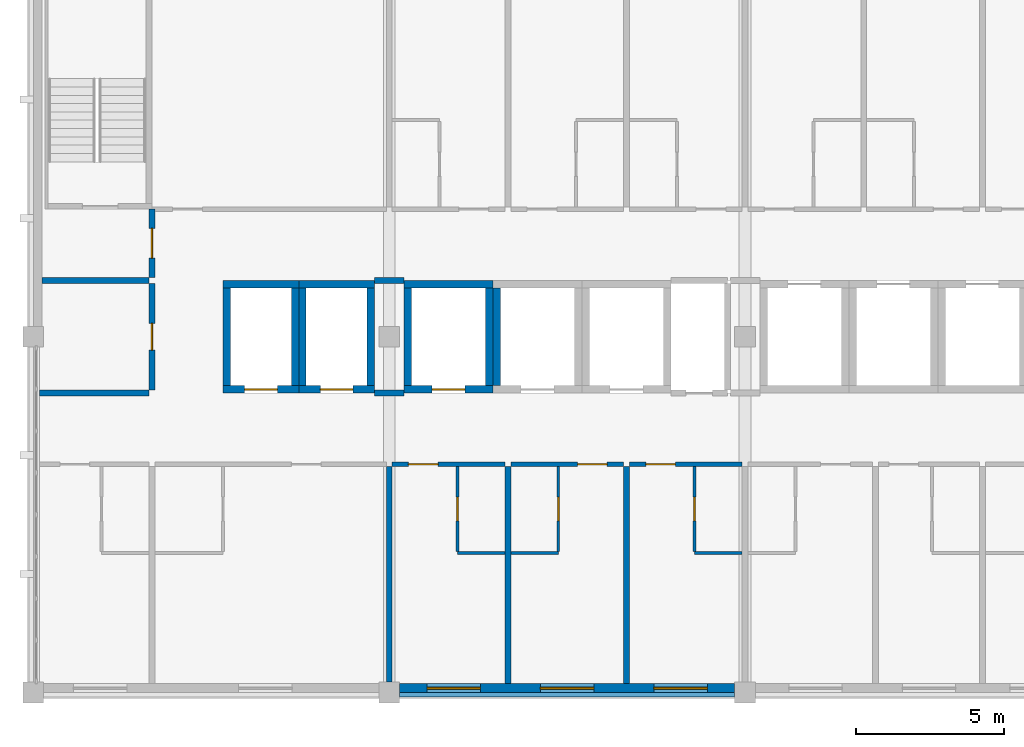
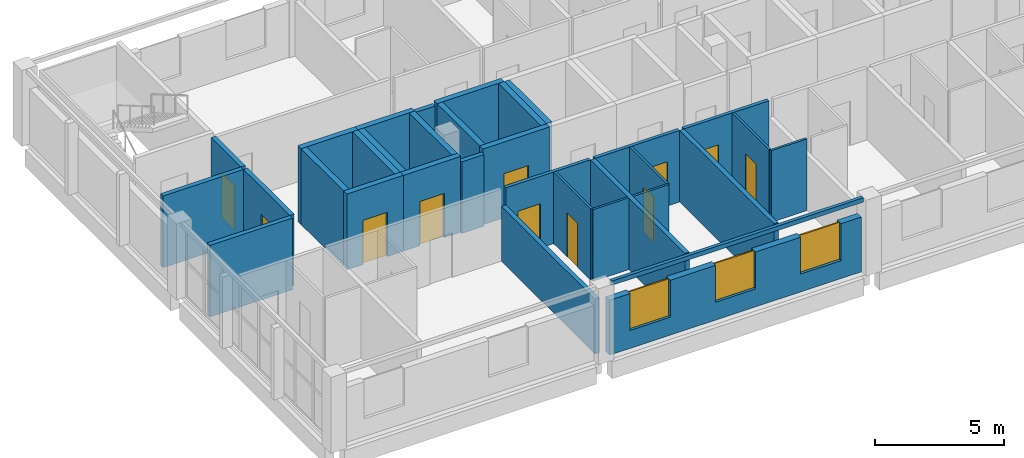
# One storey, part 6 of 11: 33 walls, 11 doors, 3 windows, 14 openings.
"""IFC4 building model written with IfcOpenShell, lengths in metres."""

from ifc_helpers import new_model, si_unit, direction, frame, frame_2d, origin, place, context, subcontext, project, spatial, rectangle, extrude, material, layer, layer_set, type_object, element, fill, save


model = new_model("IFC4")

# Units and contexts
model_context = context("Model", 3, precision=1e-05, world=origin(), true_north=direction((0.0, 1.0)))
body_context = subcontext(model_context, "Body", "Model", "MODEL_VIEW")
ifc_project = project(units=[si_unit("LENGTHUNIT", "METRE"), si_unit("AREAUNIT", "SQUARE_METRE"), si_unit("VOLUMEUNIT", "CUBIC_METRE"), si_unit("PLANEANGLEUNIT", "RADIAN"), si_unit("MASSUNIT", "GRAM", prefix="KILO")], contexts=[model_context])

# Site, building, storey
site_placement = place(None, origin())
site = spatial("IfcSite", under=ifc_project, at=site_placement, CompositionType="ELEMENT")
building_placement = place(site_placement, origin())
building = spatial("IfcBuilding", under=site, at=building_placement, Name="Lilac Gate Convention Centre", CompositionType="ELEMENT")
storey_placement = place(building_placement, frame((0.0, 0.0, 53.39990234375)))
storey = spatial("IfcBuildingStorey", under=building, at=storey_placement, Name="L13", CompositionType="ELEMENT", Elevation=53.39990234375)

# Wall, opening, door
ifc_material_1 = material(Name="Concrete C40", Category="concrete")
ifc_layer_1 = layer(ifc_material_1, 0.25)
ifc_layer_set_1 = layer_set([ifc_layer_1], Name="Concrete C40")
wall_type_1 = type_object("IfcWallType", Name="Core wall 250 C40", PredefinedType="SHEAR", material=ifc_layer_set_1)
wall_1_placement = place(storey_placement, frame((54.5, 232.22509765625, 0.0), z_axis=(0.0, 0.0, 1.0), x_axis=(1.0, 0.0, 0.0)))
wall_1 = element("IfcWall", 1, at=wall_1_placement, inside=storey, type_object=wall_type_1, Name="CRW5 core wall TC L13 1", PredefinedType="SHEAR", context=body_context, shape_type="SweptSolid", body=[
    extrude(rectangle(XDim=3.0, YDim=0.25, at=frame_2d((1.5, 0.0))), origin(), (0.0, 0.0, 1.0), 3.60009765625),
])
opening_1_placement = place(wall_1_placement, frame((0.949951171875, 0.0, 0.0)))
opening_1 = element("IfcOpeningElement", 2, at=opening_1_placement, cuts=wall_1, Name="Opening T13-047", PredefinedType="OPENING", context=body_context, shape_type="SweptSolid", body=[
    extrude(rectangle(XDim=1.10009765625, YDim=2.10009765625, at=frame_2d((0.550048828125, 1.050048828125))), frame((0.0, 0.135009765625, 0.0), z_axis=(0.0, -1.0, 0.0), x_axis=(1.0, 0.0, 0.0)), (0.0, 0.0, 1.0), 0.27001953125),
])
ifc_material_2 = material(Name="Stainless steel 304", Category="steel")
door_type_1 = type_object("IfcDoorType", Name="Lift landing door 1100", OperationType="SLIDING_TO_LEFT", PredefinedType="DOOR", material=ifc_material_2)
door_1_placement = place(opening_1_placement, origin())
door_1 = element("IfcDoor", 3, at=door_1_placement, inside=storey, type_object=door_type_1, Name="Lift landing door TP1 L13", OperationType="SLIDING_TO_LEFT", OverallHeight=2.10009765625, OverallWidth=1.10009765625, PredefinedType="DOOR", context=body_context, shape_type="SweptSolid", body=[
    extrude(rectangle(XDim=1.10009765625, YDim=2.10009765625, at=frame_2d((0.550048828125, 1.050048828125))), frame((0.0, 0.02490234375, 0.0), z_axis=(0.0, -1.0, 0.0), x_axis=(1.0, 0.0, 0.0)), (0.0, 0.0, 1.0), 0.050048828125),
])
fill(opening_1, door_1)

# Walls
wall_2_placement = place(storey_placement, frame((54.5, 235.77490234375, 0.0), z_axis=(0.0, 0.0, 1.0), x_axis=(1.0, 0.0, 0.0)))
element("IfcWall", 4, at=wall_2_placement, inside=storey, type_object=wall_type_1, Name="CRW5 core wall TC L13 2", PredefinedType="SHEAR", context=body_context, shape_type="SweptSolid", body=[
    extrude(rectangle(XDim=3.0, YDim=0.25, at=frame_2d((1.5, 0.0))), origin(), (0.0, 0.0, 1.0), 3.60009765625),
])
for number, where, z_axis, x_axis, name in (
    (5, (54.625, 232.35009765625, 0.0), (0.0, 0.0, 1.0), (0.0, 1.0, 0.0), "CRW5 core wall TC L13 3"),
    (6, (57.375, 232.35009765625, 0.0), (0.0, 0.0, 1.0), (0.0, 1.0, 0.0), "CRW5 core wall TC L13 4"),
    (7, (57.625, 232.35009765625, 0.0), (0.0, 0.0, 1.0), (0.0, 1.0, 0.0), "CRW5 core wall TC L13 7"),
):
    element("IfcWall", number, at=place(storey_placement, frame(where, z_axis=z_axis, x_axis=x_axis)), inside=storey, type_object=wall_type_1, Name=name, PredefinedType="SHEAR", context=body_context, shape_type="SweptSolid", body=[
        extrude(rectangle(XDim=3.2998046875, YDim=0.25, at=frame_2d((1.64990234375, 0.0))), origin(), (0.0, 0.0, 1.0), 3.60009765625),
    ])

# Wall, opening, door
wall_3_placement = place(storey_placement, frame((48.39990234375, 232.22509765625, 0.0), z_axis=(0.0, 0.0, 1.0), x_axis=(1.0, 0.0, 0.0)))
wall_3 = element("IfcWall", 8, at=wall_3_placement, inside=storey, type_object=wall_type_1, Name="CRW5 core wall TC L13 25", PredefinedType="SHEAR", context=body_context, shape_type="SweptSolid", body=[
    extrude(rectangle(XDim=2.550048828125, YDim=0.25, at=frame_2d((1.27490234375, 0.0))), origin(), (0.0, 0.0, 1.0), 3.60009765625),
])
opening_2_placement = place(wall_3_placement, frame((0.72509765625, 0.0, 0.0)))
opening_2 = element("IfcOpeningElement", 9, at=opening_2_placement, cuts=wall_3, Name="Opening T13-053", PredefinedType="OPENING", context=body_context, shape_type="SweptSolid", body=[
    extrude(rectangle(XDim=1.10009765625, YDim=2.10009765625, at=frame_2d((0.550048828125, 1.050048828125))), frame((0.0, 0.135009765625, 0.0), z_axis=(0.0, -1.0, 0.0), x_axis=(1.0, 0.0, 0.0)), (0.0, 0.0, 1.0), 0.27001953125),
])
door_2_placement = place(opening_2_placement, origin())
door_2 = element("IfcDoor", 10, at=door_2_placement, inside=storey, type_object=door_type_1, Name="Lift landing door TS1 L13", OperationType="SLIDING_TO_LEFT", OverallHeight=2.10009765625, OverallWidth=1.10009765625, PredefinedType="DOOR", context=body_context, shape_type="SweptSolid", body=[
    extrude(rectangle(XDim=1.10009765625, YDim=2.10009765625, at=frame_2d((0.550048828125, 1.050048828125))), frame((0.0, 0.02490234375, 0.0), z_axis=(0.0, -1.0, 0.0), x_axis=(1.0, 0.0, 0.0)), (0.0, 0.0, 1.0), 0.050048828125),
])
fill(opening_2, door_2)

# Walls
wall_4_placement = place(storey_placement, frame((48.39990234375, 235.77490234375, 0.0), z_axis=(0.0, 0.0, 1.0), x_axis=(1.0, 0.0, 0.0)))
element("IfcWall", 11, at=wall_4_placement, inside=storey, type_object=wall_type_1, Name="CRW5 core wall TC L13 26", PredefinedType="SHEAR", context=body_context, shape_type="SweptSolid", body=[
    extrude(rectangle(XDim=2.550048828125, YDim=0.25, at=frame_2d((1.27490234375, 0.0))), origin(), (0.0, 0.0, 1.0), 3.60009765625),
])
for number, where, z_axis, x_axis, name in (
    (12, (48.52490234375, 232.35009765625, 0.0), (0.0, 0.0, 1.0), (0.0, 1.0, 0.0), "CRW5 core wall TC L13 27"),
    (13, (50.824951171875, 232.35009765625, 0.0), (0.0, 0.0, 1.0), (0.0, 1.0, 0.0), "CRW5 core wall TC L13 28"),
):
    element("IfcWall", number, at=place(storey_placement, frame(where, z_axis=z_axis, x_axis=x_axis)), inside=storey, type_object=wall_type_1, Name=name, PredefinedType="SHEAR", context=body_context, shape_type="SweptSolid", body=[
        extrude(rectangle(XDim=3.2998046875, YDim=0.25, at=frame_2d((1.64990234375, 0.0))), origin(), (0.0, 0.0, 1.0), 3.60009765625),
    ])

# Wall, opening, door
wall_5_placement = place(storey_placement, frame((50.949951171875, 232.22509765625, 0.0), z_axis=(0.0, 0.0, 1.0), x_axis=(1.0, 0.0, 0.0)))
wall_5 = element("IfcWall", 14, at=wall_5_placement, inside=storey, type_object=wall_type_1, Name="CRW5 core wall TC L13 29", PredefinedType="SHEAR", context=body_context, shape_type="SweptSolid", body=[
    extrude(rectangle(XDim=2.550048828125, YDim=0.25, at=frame_2d((1.27490234375, 0.0))), origin(), (0.0, 0.0, 1.0), 3.60009765625),
])
opening_3_placement = place(wall_5_placement, frame((0.72509765625, 0.0, 0.0)))
opening_3 = element("IfcOpeningElement", 15, at=opening_3_placement, cuts=wall_5, Name="Opening T13-054", PredefinedType="OPENING", context=body_context, shape_type="SweptSolid", body=[
    extrude(rectangle(XDim=1.10009765625, YDim=2.10009765625, at=frame_2d((0.550048828125, 1.050048828125))), frame((0.0, 0.135009765625, 0.0), z_axis=(0.0, -1.0, 0.0), x_axis=(1.0, 0.0, 0.0)), (0.0, 0.0, 1.0), 0.27001953125),
])
door_3_placement = place(opening_3_placement, origin())
door_3 = element("IfcDoor", 16, at=door_3_placement, inside=storey, type_object=door_type_1, Name="Lift landing door TS2 L13", OperationType="SLIDING_TO_LEFT", OverallHeight=2.10009765625, OverallWidth=1.10009765625, PredefinedType="DOOR", context=body_context, shape_type="SweptSolid", body=[
    extrude(rectangle(XDim=1.10009765625, YDim=2.10009765625, at=frame_2d((0.550048828125, 1.050048828125))), frame((0.0, 0.02490234375, 0.0), z_axis=(0.0, -1.0, 0.0), x_axis=(1.0, 0.0, 0.0)), (0.0, 0.0, 1.0), 0.050048828125),
])
fill(opening_3, door_3)

# Walls
wall_6_placement = place(storey_placement, frame((50.949951171875, 235.77490234375, 0.0), z_axis=(0.0, 0.0, 1.0), x_axis=(1.0, 0.0, 0.0)))
element("IfcWall", 17, at=wall_6_placement, inside=storey, type_object=wall_type_1, Name="CRW5 core wall TC L13 30", PredefinedType="SHEAR", context=body_context, shape_type="SweptSolid", body=[
    extrude(rectangle(XDim=2.550048828125, YDim=0.25, at=frame_2d((1.27490234375, 0.0))), origin(), (0.0, 0.0, 1.0), 3.60009765625),
])
for number, where, z_axis, x_axis, name in (
    (18, (51.074951171875, 232.35009765625, 0.0), (0.0, 0.0, 1.0), (0.0, 1.0, 0.0), "CRW5 core wall TC L13 31"),
    (19, (53.375, 232.35009765625, 0.0), (0.0, 0.0, 1.0), (0.0, 1.0, 0.0), "CRW5 core wall TC L13 32"),
):
    element("IfcWall", number, at=place(storey_placement, frame(where, z_axis=z_axis, x_axis=x_axis)), inside=storey, type_object=wall_type_1, Name=name, PredefinedType="SHEAR", context=body_context, shape_type="SweptSolid", body=[
        extrude(rectangle(XDim=3.2998046875, YDim=0.25, at=frame_2d((1.64990234375, 0.0))), origin(), (0.0, 0.0, 1.0), 3.60009765625),
    ])

# Wall, opening, door
ifc_material_3 = material(Name="Gypsum board on steel stud", Category="steel")
ifc_layer_2 = layer(ifc_material_3, 0.14990234375)
ifc_layer_set_2 = layer_set([ifc_layer_2], Name="Gypsum board on steel stud")
wall_type_2 = type_object("IfcWallType", Name="Corridor wall 150", PredefinedType="PARTITIONING", material=ifc_layer_set_2)
wall_7_placement = place(storey_placement, frame((57.89990234375, 229.699951171875, 0.0), z_axis=(0.0, 0.0, 1.0), x_axis=(-1.0, 0.0, 0.0)))
wall_7 = element("IfcWall", 20, at=wall_7_placement, inside=storey, type_object=wall_type_2, Name="Corridor wall 150 front 1303", PredefinedType="PARTITIONING", context=body_context, shape_type="SweptSolid", body=[
    extrude(rectangle(XDim=3.7998046875, YDim=0.14990234375, at=frame_2d((1.89990234375, 0.0))), origin(), (0.0, 0.0, 1.0), 3.400146484375),
])
opening_4_placement = place(wall_7_placement, frame((2.25, 0.0, 0.0)))
opening_4 = element("IfcOpeningElement", 21, at=opening_4_placement, cuts=wall_7, Name="Opening T13-012", PredefinedType="OPENING", context=body_context, shape_type="SweptSolid", body=[
    extrude(rectangle(XDim=1.0, YDim=2.10009765625, at=frame_2d((0.5, 1.050048828125))), frame((0.0, 0.0849609375, 0.0), z_axis=(0.0, -1.0, 0.0), x_axis=(1.0, 0.0, 0.0)), (0.0, 0.0, 1.0), 0.169921875),
])
ifc_material_4 = material(Name="Timber", Category="wood")
door_type_2 = type_object("IfcDoorType", Name="Guest room entrance door 1000", OperationType="SINGLE_SWING_LEFT", PredefinedType="DOOR", material=ifc_material_4)
door_4_placement = place(opening_4_placement, origin())
door_4 = element("IfcDoor", 22, at=door_4_placement, inside=storey, type_object=door_type_2, Name="Guest room door 1303", OperationType="SINGLE_SWING_RIGHT", OverallHeight=2.10009765625, OverallWidth=1.0, PredefinedType="DOOR", context=body_context, shape_type="SweptSolid", body=[
    extrude(rectangle(XDim=1.0, YDim=2.10009765625, at=frame_2d((0.5, 1.050048828125))), frame((0.0, 0.02490234375, 0.0), z_axis=(0.0, -1.0, 0.0), x_axis=(1.0, 0.0, 0.0)), (0.0, 0.0, 1.0), 0.050048828125),
])
fill(opening_4, door_4)

wall_8_placement = place(storey_placement, frame((61.89990234375, 229.699951171875, 0.0), z_axis=(0.0, 0.0, 1.0), x_axis=(-1.0, 0.0, 0.0)))
wall_8 = element("IfcWall", 23, at=wall_8_placement, inside=storey, type_object=wall_type_2, Name="Corridor wall 150 front 1304", PredefinedType="PARTITIONING", context=body_context, shape_type="SweptSolid", body=[
    extrude(rectangle(XDim=3.7998046875, YDim=0.14990234375, at=frame_2d((1.89990234375, 0.0))), origin(), (0.0, 0.0, 1.0), 3.400146484375),
])
opening_5_placement = place(wall_8_placement, frame((0.550048828125, 0.0, 0.0)))
opening_5 = element("IfcOpeningElement", 24, at=opening_5_placement, cuts=wall_8, Name="Opening T13-014", PredefinedType="OPENING", context=body_context, shape_type="SweptSolid", body=[
    extrude(rectangle(XDim=1.0, YDim=2.10009765625, at=frame_2d((0.5, 1.050048828125))), frame((0.0, 0.0849609375, 0.0), z_axis=(0.0, -1.0, 0.0), x_axis=(1.0, 0.0, 0.0)), (0.0, 0.0, 1.0), 0.169921875),
])
door_5_placement = place(opening_5_placement, origin())
door_5 = element("IfcDoor", 25, at=door_5_placement, inside=storey, type_object=door_type_2, Name="Guest room door 1304", OperationType="SINGLE_SWING_LEFT", OverallHeight=2.10009765625, OverallWidth=1.0, PredefinedType="DOOR", context=body_context, shape_type="SweptSolid", body=[
    extrude(rectangle(XDim=1.0, YDim=2.10009765625, at=frame_2d((0.5, 1.050048828125))), frame((0.0, 0.02490234375, 0.0), z_axis=(0.0, -1.0, 0.0), x_axis=(1.0, 0.0, 0.0)), (0.0, 0.0, 1.0), 0.050048828125),
])
fill(opening_5, door_5)

wall_9_placement = place(storey_placement, frame((65.89990234375, 229.699951171875, 0.0), z_axis=(0.0, 0.0, 1.0), x_axis=(-1.0, 0.0, 0.0)))
wall_9 = element("IfcWall", 26, at=wall_9_placement, inside=storey, type_object=wall_type_2, Name="Corridor wall 150 front 1305", PredefinedType="PARTITIONING", context=body_context, shape_type="SweptSolid", body=[
    extrude(rectangle(XDim=3.7998046875, YDim=0.14990234375, at=frame_2d((1.89990234375, 0.0))), origin(), (0.0, 0.0, 1.0), 3.400146484375),
])
opening_6_placement = place(wall_9_placement, frame((2.25, 0.0, 0.0)))
opening_6 = element("IfcOpeningElement", 27, at=opening_6_placement, cuts=wall_9, Name="Opening T13-016", PredefinedType="OPENING", context=body_context, shape_type="SweptSolid", body=[
    extrude(rectangle(XDim=1.0, YDim=2.10009765625, at=frame_2d((0.5, 1.050048828125))), frame((0.0, 0.0849609375, 0.0), z_axis=(0.0, -1.0, 0.0), x_axis=(1.0, 0.0, 0.0)), (0.0, 0.0, 1.0), 0.169921875),
])
door_6_placement = place(opening_6_placement, origin())
door_6 = element("IfcDoor", 28, at=door_6_placement, inside=storey, type_object=door_type_2, Name="Guest room door 1305", OperationType="SINGLE_SWING_LEFT", OverallHeight=2.10009765625, OverallWidth=1.0, PredefinedType="DOOR", context=body_context, shape_type="SweptSolid", body=[
    extrude(rectangle(XDim=1.0, YDim=2.10009765625, at=frame_2d((0.5, 1.050048828125))), frame((0.0, 0.02490234375, 0.0), z_axis=(0.0, -1.0, 0.0), x_axis=(1.0, 0.0, 0.0)), (0.0, 0.0, 1.0), 0.050048828125),
])
fill(opening_6, door_6)

# Wall
ifc_layer_3 = layer(ifc_material_3, 0.10009765625)
ifc_layer_set_3 = layer_set([ifc_layer_3], Name="Gypsum board on steel stud")
wall_type_3 = type_object("IfcWallType", Name="En-suite wall 100", PredefinedType="PARTITIONING", material=ifc_layer_set_3)
wall_10_placement = place(storey_placement, frame((56.300048828125, 226.699951171875, 0.0), z_axis=(0.0, 0.0, 1.0), x_axis=(1.0, 0.0, 0.0)))
element("IfcWall", 29, at=wall_10_placement, inside=storey, type_object=wall_type_3, Name="En-suite wall 100 bath 1303", PredefinedType="PARTITIONING", context=body_context, shape_type="SweptSolid", body=[
    extrude(rectangle(XDim=1.599853515625, YDim=0.10009765625, at=frame_2d((0.7998046875, 0.0))), origin(), (0.0, 0.0, 1.0), 3.400146484375),
])

# Wall, opening, door
wall_11_placement = place(storey_placement, frame((56.300048828125, 226.75, 0.0), z_axis=(0.0, 0.0, 1.0), x_axis=(0.0, 1.0, 0.0)))
wall_11 = element("IfcWall", 30, at=wall_11_placement, inside=storey, type_object=wall_type_3, Name="En-suite wall 100 bath side 1303", PredefinedType="PARTITIONING", context=body_context, shape_type="SweptSolid", body=[
    extrude(rectangle(XDim=2.875, YDim=0.10009765625, at=frame_2d((1.4375, 0.0))), origin(), (0.0, 0.0, 1.0), 3.400146484375),
])
opening_7_placement = place(wall_11_placement, frame((1.03759765625, 0.0, 0.0)))
opening_7 = element("IfcOpeningElement", 31, at=opening_7_placement, cuts=wall_11, Name="Opening T13-013", PredefinedType="OPENING", context=body_context, shape_type="SweptSolid", body=[
    extrude(rectangle(XDim=0.800048828125, YDim=2.10009765625, at=frame_2d((0.39990234375, 1.050048828125))), frame((0.0, 0.06005859375, 0.0), z_axis=(0.0, -1.0, 0.0), x_axis=(1.0, 0.0, 0.0)), (0.0, 0.0, 1.0), 0.1201171875),
])
door_type_3 = type_object("IfcDoorType", Name="En-suite door 800", OperationType="SINGLE_SWING_LEFT", PredefinedType="DOOR", material=ifc_material_4)
door_7_placement = place(opening_7_placement, origin())
door_7 = element("IfcDoor", 32, at=door_7_placement, inside=storey, type_object=door_type_3, Name="En-suite door 1303", OperationType="SINGLE_SWING_RIGHT", OverallHeight=2.10009765625, OverallWidth=0.800048828125, PredefinedType="DOOR", context=body_context, shape_type="SweptSolid", body=[
    extrude(rectangle(XDim=0.800048828125, YDim=2.10009765625, at=frame_2d((0.39990234375, 1.050048828125))), frame((0.0, 0.02490234375, 0.0), z_axis=(0.0, -1.0, 0.0), x_axis=(1.0, 0.0, 0.0)), (0.0, 0.0, 1.0), 0.050048828125),
])
fill(opening_7, door_7)

# Wall
wall_12_placement = place(storey_placement, frame((58.10009765625, 226.699951171875, 0.0), z_axis=(0.0, 0.0, 1.0), x_axis=(1.0, 0.0, 0.0)))
element("IfcWall", 33, at=wall_12_placement, inside=storey, type_object=wall_type_3, Name="En-suite wall 100 bath 1304", PredefinedType="PARTITIONING", context=body_context, shape_type="SweptSolid", body=[
    extrude(rectangle(XDim=1.599853515625, YDim=0.10009765625, at=frame_2d((0.7998046875, 0.0))), origin(), (0.0, 0.0, 1.0), 3.400146484375),
])

# Wall, opening, door
wall_13_placement = place(storey_placement, frame((59.699951171875, 229.625, 0.0), z_axis=(0.0, 0.0, 1.0), x_axis=(0.0, -1.0, 0.0)))
wall_13 = element("IfcWall", 34, at=wall_13_placement, inside=storey, type_object=wall_type_3, Name="En-suite wall 100 bath side 1304", PredefinedType="PARTITIONING", context=body_context, shape_type="SweptSolid", body=[
    extrude(rectangle(XDim=2.875, YDim=0.10009765625, at=frame_2d((1.4375, 0.0))), origin(), (0.0, 0.0, 1.0), 3.400146484375),
])
opening_8_placement = place(wall_13_placement, frame((1.03759765625, 0.0, 0.0)))
opening_8 = element("IfcOpeningElement", 35, at=opening_8_placement, cuts=wall_13, Name="Opening T13-015", PredefinedType="OPENING", context=body_context, shape_type="SweptSolid", body=[
    extrude(rectangle(XDim=0.800048828125, YDim=2.10009765625, at=frame_2d((0.39990234375, 1.050048828125))), frame((0.0, 0.06005859375, 0.0), z_axis=(0.0, -1.0, 0.0), x_axis=(1.0, 0.0, 0.0)), (0.0, 0.0, 1.0), 0.1201171875),
])
door_8_placement = place(opening_8_placement, origin())
door_8 = element("IfcDoor", 36, at=door_8_placement, inside=storey, type_object=door_type_3, Name="En-suite door 1304", OperationType="SINGLE_SWING_LEFT", OverallHeight=2.10009765625, OverallWidth=0.800048828125, PredefinedType="DOOR", context=body_context, shape_type="SweptSolid", body=[
    extrude(rectangle(XDim=0.800048828125, YDim=2.10009765625, at=frame_2d((0.39990234375, 1.050048828125))), frame((0.0, 0.02490234375, 0.0), z_axis=(0.0, -1.0, 0.0), x_axis=(1.0, 0.0, 0.0)), (0.0, 0.0, 1.0), 0.050048828125),
])
fill(opening_8, door_8)

# Wall
wall_14_placement = place(storey_placement, frame((64.300048828125, 226.699951171875, 0.0), z_axis=(0.0, 0.0, 1.0), x_axis=(1.0, 0.0, 0.0)))
element("IfcWall", 37, at=wall_14_placement, inside=storey, type_object=wall_type_3, Name="En-suite wall 100 bath 1305", PredefinedType="PARTITIONING", context=body_context, shape_type="SweptSolid", body=[
    extrude(rectangle(XDim=1.599853515625, YDim=0.10009765625, at=frame_2d((0.7998046875, 0.0))), origin(), (0.0, 0.0, 1.0), 3.400146484375),
])

# Wall, opening, door
wall_15_placement = place(storey_placement, frame((64.300048828125, 226.75, 0.0), z_axis=(0.0, 0.0, 1.0), x_axis=(0.0, 1.0, 0.0)))
wall_15 = element("IfcWall", 38, at=wall_15_placement, inside=storey, type_object=wall_type_3, Name="En-suite wall 100 bath side 1305", PredefinedType="PARTITIONING", context=body_context, shape_type="SweptSolid", body=[
    extrude(rectangle(XDim=2.875, YDim=0.10009765625, at=frame_2d((1.4375, 0.0))), origin(), (0.0, 0.0, 1.0), 3.400146484375),
])
opening_9_placement = place(wall_15_placement, frame((1.03759765625, 0.0, 0.0)))
opening_9 = element("IfcOpeningElement", 39, at=opening_9_placement, cuts=wall_15, Name="Opening T13-017", PredefinedType="OPENING", context=body_context, shape_type="SweptSolid", body=[
    extrude(rectangle(XDim=0.800048828125, YDim=2.10009765625, at=frame_2d((0.39990234375, 1.050048828125))), frame((0.0, 0.06005859375, 0.0), z_axis=(0.0, -1.0, 0.0), x_axis=(1.0, 0.0, 0.0)), (0.0, 0.0, 1.0), 0.1201171875),
])
door_9_placement = place(opening_9_placement, origin())
door_9 = element("IfcDoor", 40, at=door_9_placement, inside=storey, type_object=door_type_3, Name="En-suite door 1305", OperationType="SINGLE_SWING_RIGHT", OverallHeight=2.10009765625, OverallWidth=0.800048828125, PredefinedType="DOOR", context=body_context, shape_type="SweptSolid", body=[
    extrude(rectangle(XDim=0.800048828125, YDim=2.10009765625, at=frame_2d((0.39990234375, 1.050048828125))), frame((0.0, 0.02490234375, 0.0), z_axis=(0.0, -1.0, 0.0), x_axis=(1.0, 0.0, 0.0)), (0.0, 0.0, 1.0), 0.050048828125),
])
fill(opening_9, door_9)

# Walls
ifc_layer_4 = layer(ifc_material_3, 0.199951171875)
ifc_layer_set_4 = layer_set([ifc_layer_4], Name="Gypsum board on steel stud")
wall_type_4 = type_object("IfcWallType", Name="Guest room party wall 200", PredefinedType="PARTITIONING", material=ifc_layer_set_4)
wall_16_placement = place(storey_placement, frame((54.0, 222.35009765625, 0.0), z_axis=(0.0, 0.0, 1.0), x_axis=(0.0, 1.0, 0.0)))
element("IfcWall", 41, at=wall_16_placement, inside=storey, type_object=wall_type_4, Name="Guest room party wall 200 party 54.0", PredefinedType="PARTITIONING", context=body_context, shape_type="SweptSolid", body=[
    extrude(rectangle(XDim=7.27490234375, YDim=0.199951171875, at=frame_2d((3.637451171875, 0.0))), origin(), (0.0, 0.0, 1.0), 2.60009765625),
])
for number, where, z_axis, x_axis, name in (
    (42, (58.0, 222.2998046875, 0.0), (0.0, 0.0, 1.0), (0.0, 1.0, 0.0), "Guest room party wall 200 party 58.0"),
    (43, (62.0, 222.2998046875, 0.0), (0.0, 0.0, 1.0), (0.0, 1.0, 0.0), "Guest room party wall 200 party 62.0"),
):
    element("IfcWall", number, at=place(storey_placement, frame(where, z_axis=z_axis, x_axis=x_axis)), inside=storey, type_object=wall_type_4, Name=name, PredefinedType="PARTITIONING", context=body_context, shape_type="SweptSolid", body=[
        extrude(rectangle(XDim=7.3251953125, YDim=0.199951171875, at=frame_2d((3.66259765625, 0.0))), origin(), (0.0, 0.0, 1.0), 3.400146484375),
    ])

# Wall, opening, door
ifc_layer_5 = layer(ifc_material_3, 0.199951171875)
ifc_layer_set_5 = layer_set([ifc_layer_5], Name="Gypsum board on steel stud")
wall_type_5 = type_object("IfcWallType", Name="Lobby wall 200", PredefinedType="PARTITIONING", material=ifc_layer_set_5)
wall_17_placement = place(storey_placement, frame((46.0, 236.0, 0.0), z_axis=(0.0, 0.0, 1.0), x_axis=(0.0, 1.0, 0.0)))
wall_17 = element("IfcWall", 44, at=wall_17_placement, inside=storey, type_object=wall_type_5, Name="Lobby wall 200 STL-NW-E", PredefinedType="PARTITIONING", context=body_context, shape_type="SweptSolid", body=[
    extrude(rectangle(XDim=2.300048828125, YDim=0.199951171875, at=frame_2d((1.14990234375, 0.0))), origin(), (0.0, 0.0, 1.0), 3.400146484375),
])
opening_10_placement = place(wall_17_placement, frame((0.64990234375, 0.0, 0.0)))
opening_10 = element("IfcOpeningElement", 45, at=opening_10_placement, cuts=wall_17, Name="Opening T13-006", PredefinedType="OPENING", context=body_context, shape_type="SweptSolid", body=[
    extrude(rectangle(XDim=1.0, YDim=2.10009765625, at=frame_2d((0.5, 1.050048828125))), frame((0.0, 0.10986328125, 0.0), z_axis=(0.0, -1.0, 0.0), x_axis=(1.0, 0.0, 0.0)), (0.0, 0.0, 1.0), 0.219970703125),
])
ifc_material_5 = material(Name="Steel Q235B", Category="steel")
door_type_4 = type_object("IfcDoorType", Name="Lobby door 1000", OperationType="SINGLE_SWING_LEFT", PredefinedType="DOOR", material=ifc_material_5)
door_10_placement = place(opening_10_placement, origin())
door_10 = element("IfcDoor", 46, at=door_10_placement, inside=storey, type_object=door_type_4, Name="Stair lobby door NW", OperationType="SINGLE_SWING_LEFT", OverallHeight=2.10009765625, OverallWidth=1.0, PredefinedType="DOOR", context=body_context, shape_type="SweptSolid", body=[
    extrude(rectangle(XDim=1.0, YDim=2.10009765625, at=frame_2d((0.5, 1.050048828125))), frame((0.0, 0.02490234375, 0.0), z_axis=(0.0, -1.0, 0.0), x_axis=(1.0, 0.0, 0.0)), (0.0, 0.0, 1.0), 0.050048828125),
])
fill(opening_10, door_10)

# Wall
ifc_material_6 = material(Name="Concrete C40 precast", Category="concrete")
ifc_layer_6 = layer(ifc_material_6, 0.1298828125)
ifc_material_7 = material(Name="Ochre mineral render")
ifc_layer_7 = layer(ifc_material_7, 0.02001953125)
ifc_layer_set_6 = layer_set([ifc_layer_6, ifc_layer_7], Name="Concrete C40 precast, Ochre mineral render")
wall_type_6 = type_object("IfcWallType", Name="Precast band ochre 150", PredefinedType="STANDARD", material=ifc_layer_set_6)
wall_18_placement = place(storey_placement, frame((54.35009765625, 221.925048828125, 3.400146484375), z_axis=(0.0, 0.0, 1.0), x_axis=(1.0, 0.0, 0.0)))
element("IfcWall", 47, at=wall_18_placement, inside=storey, type_object=wall_type_6, Name="Precast band S L13 2", PredefinedType="STANDARD", context=body_context, shape_type="SweptSolid", body=[
    extrude(rectangle(XDim=11.2998046875, YDim=0.14990234375, at=frame_2d((5.64990234375, 0.0))), origin(), (0.0, 0.0, 1.0), 0.199951171875),
])

# Wall, openings, windows
ifc_material_8 = material(Name="Terracotta glazed cladding", Category="masonry")
ifc_layer_8 = layer(ifc_material_8, 0.02001953125)
ifc_layer_9 = layer(ifc_material_6, 0.06005859375)
ifc_material_9 = material(Name="Ventilated air cavity")
ifc_layer_10 = layer(ifc_material_9, 0.030029296875)
ifc_material_10 = material(Name="Mineral wool insulation")
ifc_layer_11 = layer(ifc_material_10, 0.1201171875)
ifc_material_11 = material(Name="Steel stud Q345 and gypsum lining", Category="steel")
ifc_layer_12 = layer(ifc_material_11, 0.070068359375)
ifc_layer_set_7 = layer_set([ifc_layer_8, ifc_layer_9, ifc_layer_10, ifc_layer_11, ifc_layer_12], Name="Terracotta glazed cladding, Concrete C40 precast, Ventilated air cavity, Mineral wool insulation, Steel stud Q345 and gypsum lining")
wall_type_7 = type_object("IfcWallType", Name="Precast panel wall terracotta 300", PredefinedType="STANDARD", material=ifc_layer_set_7)
wall_19_placement = place(storey_placement, frame((54.35009765625, 222.14990234375, 0.0), z_axis=(0.0, 0.0, 1.0), x_axis=(1.0, 0.0, 0.0)))
wall_19 = element("IfcWall", 48, at=wall_19_placement, inside=storey, type_object=wall_type_7, Name="External wall S L13 2", PredefinedType="STANDARD", context=body_context, shape_type="SweptSolid", body=[
    extrude(rectangle(XDim=11.2998046875, YDim=0.300048828125, at=frame_2d((5.64990234375, 0.0))), origin(), (0.0, 0.0, 1.0), 2.60009765625),
])
opening_11_placement = place(wall_19_placement, frame((0.925048828125, 0.0, 0.85009765625)))
opening_11 = element("IfcOpeningElement", 49, at=opening_11_placement, cuts=wall_19, Name="Opening W1", PredefinedType="OPENING", context=body_context, shape_type="SweptSolid", body=[
    extrude(rectangle(XDim=1.800048828125, YDim=1.75, at=frame_2d((0.89990234375, 0.875))), frame((0.0, 0.159912109375, 0.0), z_axis=(0.0, -1.0, 0.0), x_axis=(1.0, 0.0, 0.0)), (0.0, 0.0, 1.0), 0.320068359375),
])
opening_12_placement = place(wall_19_placement, frame((4.75, 0.0, 0.85009765625)))
opening_12 = element("IfcOpeningElement", 50, at=opening_12_placement, cuts=wall_19, Name="Opening W1", PredefinedType="OPENING", context=body_context, shape_type="SweptSolid", body=[
    extrude(rectangle(XDim=1.800048828125, YDim=1.75, at=frame_2d((0.89990234375, 0.875))), frame((0.0, 0.159912109375, 0.0), z_axis=(0.0, -1.0, 0.0), x_axis=(1.0, 0.0, 0.0)), (0.0, 0.0, 1.0), 0.320068359375),
])
opening_13_placement = place(wall_19_placement, frame((8.574951171875, 0.0, 0.85009765625)))
opening_13 = element("IfcOpeningElement", 51, at=opening_13_placement, cuts=wall_19, Name="Opening W1", PredefinedType="OPENING", context=body_context, shape_type="SweptSolid", body=[
    extrude(rectangle(XDim=1.800048828125, YDim=1.75, at=frame_2d((0.89990234375, 0.875))), frame((0.0, 0.159912109375, 0.0), z_axis=(0.0, -1.0, 0.0), x_axis=(1.0, 0.0, 0.0)), (0.0, 0.0, 1.0), 0.320068359375),
])
ifc_material_12 = material(Name="Aluminium framed double glazing", Category="aluminium")
window_type = type_object("IfcWindowType", Name="Guest room window 1800 x 1750", PartitioningType="DOUBLE_PANEL_VERTICAL", PredefinedType="WINDOW", material=ifc_material_12)
window_1_placement = place(opening_11_placement, origin())
window_1 = element("IfcWindow", 52, at=window_1_placement, inside=storey, type_object=window_type, Name="Window Guest S L13", OverallHeight=1.75, OverallWidth=1.800048828125, PartitioningType="SINGLE_PANEL", PredefinedType="WINDOW", context=body_context, shape_type="SweptSolid", body=[
    extrude(rectangle(XDim=1.800048828125, YDim=1.75, at=frame_2d((0.89990234375, 0.875))), frame((0.0, 0.030029296875, 0.0), z_axis=(0.0, -1.0, 0.0), x_axis=(1.0, 0.0, 0.0)), (0.0, 0.0, 1.0), 0.06005859375),
])
fill(opening_11, window_1)
window_2_placement = place(opening_12_placement, origin())
window_2 = element("IfcWindow", 53, at=window_2_placement, inside=storey, type_object=window_type, Name="Window Guest S L13", OverallHeight=1.75, OverallWidth=1.800048828125, PartitioningType="SINGLE_PANEL", PredefinedType="WINDOW", context=body_context, shape_type="SweptSolid", body=[
    extrude(rectangle(XDim=1.800048828125, YDim=1.75, at=frame_2d((0.89990234375, 0.875))), frame((0.0, 0.030029296875, 0.0), z_axis=(0.0, -1.0, 0.0), x_axis=(1.0, 0.0, 0.0)), (0.0, 0.0, 1.0), 0.06005859375),
])
fill(opening_12, window_2)
window_3_placement = place(opening_13_placement, origin())
window_3 = element("IfcWindow", 54, at=window_3_placement, inside=storey, type_object=window_type, Name="Window Guest S L13", OverallHeight=1.75, OverallWidth=1.800048828125, PartitioningType="SINGLE_PANEL", PredefinedType="WINDOW", context=body_context, shape_type="SweptSolid", body=[
    extrude(rectangle(XDim=1.800048828125, YDim=1.75, at=frame_2d((0.89990234375, 0.875))), frame((0.0, 0.030029296875, 0.0), z_axis=(0.0, -1.0, 0.0), x_axis=(1.0, 0.0, 0.0)), (0.0, 0.0, 1.0), 0.06005859375),
])
fill(opening_13, window_3)

# Walls
ifc_layer_13 = layer(ifc_material_3, 0.199951171875)
ifc_layer_set_8 = layer_set([ifc_layer_13], Name="Gypsum board on steel stud")
wall_type_8 = type_object("IfcWallType", Name="Riser and store wall 200", PredefinedType="PARTITIONING", material=ifc_layer_set_8)
wall_20_placement = place(storey_placement, frame((42.2001953125, 232.10009765625, 0.0), z_axis=(0.0, 0.0, 1.0), x_axis=(1.0, 0.0, 0.0)))
element("IfcWall", 55, at=wall_20_placement, inside=storey, type_object=wall_type_8, Name="Riser and store wall 200 HKW-S", PredefinedType="PARTITIONING", context=body_context, shape_type="SweptSolid", body=[
    extrude(rectangle(XDim=3.69970703125, YDim=0.199951171875, at=frame_2d((1.849853515625, 0.0))), origin(), (0.0, 0.0, 1.0), 3.400146484375),
])
wall_21_placement = place(storey_placement, frame((53.5, 232.10009765625, 0.0), z_axis=(0.0, 0.0, 1.0), x_axis=(1.0, 0.0, 0.0)))
element("IfcWall", 56, at=wall_21_placement, inside=storey, type_object=wall_type_8, Name="Riser and store wall 200 NICHE1-S", PredefinedType="PARTITIONING", context=body_context, shape_type="SweptSolid", body=[
    extrude(rectangle(XDim=1.0, YDim=0.199951171875, at=frame_2d((0.5, 0.0))), origin(), (0.0, 0.0, 1.0), 3.400146484375),
])
wall_22_placement = place(storey_placement, frame((42.2998046875, 235.89990234375, 0.0), z_axis=(0.0, 0.0, 1.0), x_axis=(1.0, 0.0, 0.0)))
element("IfcWall", 57, at=wall_22_placement, inside=storey, type_object=wall_type_8, Name="Riser and store wall 200 HKW-N", PredefinedType="PARTITIONING", context=body_context, shape_type="SweptSolid", body=[
    extrude(rectangle(XDim=3.60009765625, YDim=0.199951171875, at=frame_2d((1.800048828125, 0.0))), origin(), (0.0, 0.0, 1.0), 3.400146484375),
])
wall_23_placement = place(storey_placement, frame((53.5, 235.89990234375, 0.0), z_axis=(0.0, 0.0, 1.0), x_axis=(1.0, 0.0, 0.0)))
element("IfcWall", 58, at=wall_23_placement, inside=storey, type_object=wall_type_8, Name="Riser and store wall 200 NICHE1-N", PredefinedType="PARTITIONING", context=body_context, shape_type="SweptSolid", body=[
    extrude(rectangle(XDim=1.0, YDim=0.199951171875, at=frame_2d((0.5, 0.0))), origin(), (0.0, 0.0, 1.0), 3.400146484375),
])

# Wall, opening, door
wall_24_placement = place(storey_placement, frame((46.0, 232.199951171875, 0.0), z_axis=(0.0, 0.0, 1.0), x_axis=(0.0, 1.0, 0.0)))
wall_24 = element("IfcWall", 59, at=wall_24_placement, inside=storey, type_object=wall_type_8, Name="Riser and store wall 200 HKW-E", PredefinedType="PARTITIONING", context=body_context, shape_type="SweptSolid", body=[
    extrude(rectangle(XDim=3.60009765625, YDim=0.199951171875, at=frame_2d((1.800048828125, 0.0))), origin(), (0.0, 0.0, 1.0), 3.400146484375),
])
opening_14_placement = place(wall_24_placement, frame((1.35009765625, 0.0, 0.0)))
opening_14 = element("IfcOpeningElement", 60, at=opening_14_placement, cuts=wall_24, Name="Opening T13-001", PredefinedType="OPENING", context=body_context, shape_type="SweptSolid", body=[
    extrude(rectangle(XDim=0.89990234375, YDim=2.10009765625, at=frame_2d((0.449951171875, 1.050048828125))), frame((0.0, 0.10986328125, 0.0), z_axis=(0.0, -1.0, 0.0), x_axis=(1.0, 0.0, 0.0)), (0.0, 0.0, 1.0), 0.219970703125),
])
door_type_5 = type_object("IfcDoorType", Name="Riser and store door 900", OperationType="SINGLE_SWING_LEFT", PredefinedType="DOOR", material=ifc_material_5)
door_11_placement = place(opening_14_placement, origin())
door_11 = element("IfcDoor", 61, at=door_11_placement, inside=storey, type_object=door_type_5, Name="Housekeeping door", OperationType="SINGLE_SWING_LEFT", OverallHeight=2.10009765625, OverallWidth=0.89990234375, PredefinedType="DOOR", context=body_context, shape_type="SweptSolid", body=[
    extrude(rectangle(XDim=0.89990234375, YDim=2.10009765625, at=frame_2d((0.449951171875, 1.050048828125))), frame((0.0, 0.02490234375, 0.0), z_axis=(0.0, -1.0, 0.0), x_axis=(1.0, 0.0, 0.0)), (0.0, 0.0, 1.0), 0.050048828125),
])
fill(opening_14, door_11)

save(model, "model.ifc")
